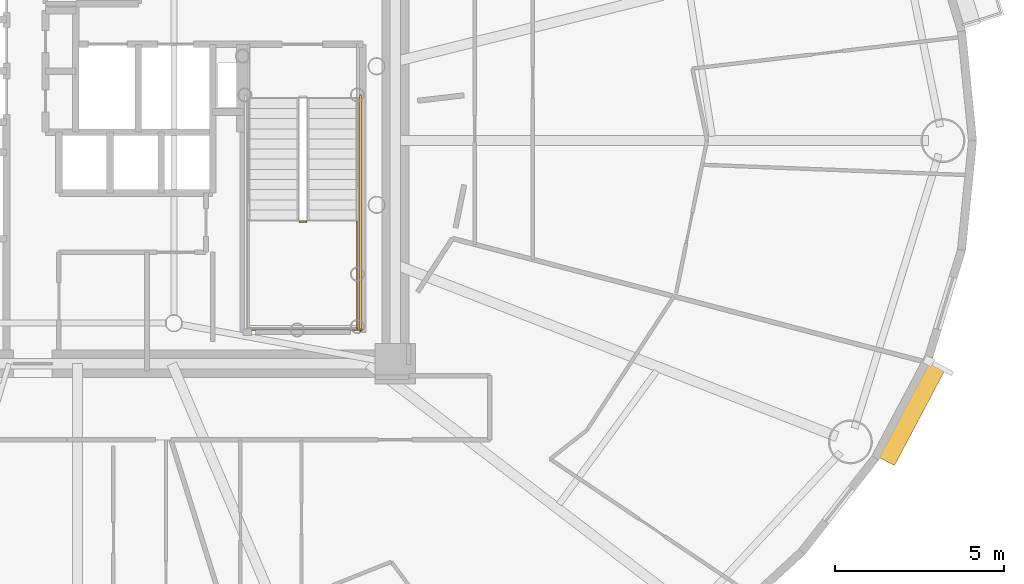
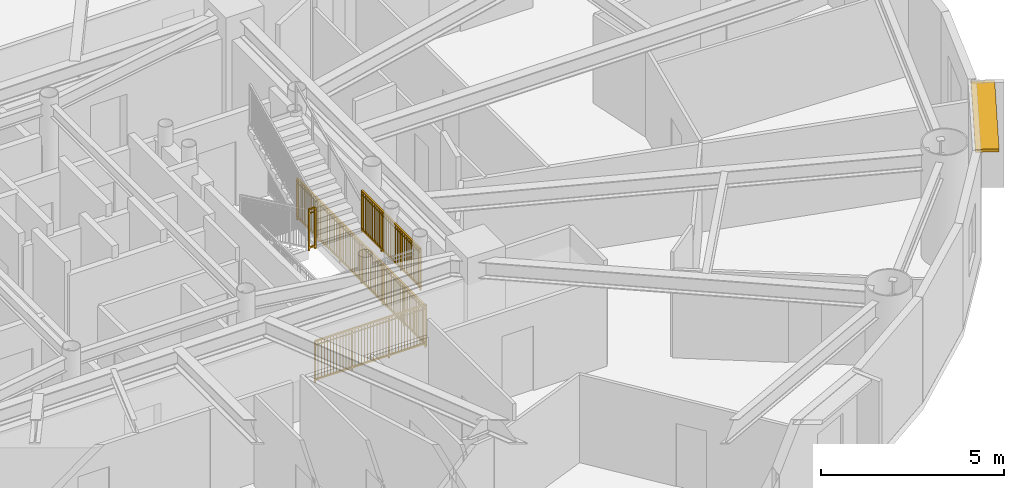
# One storey, part 16 of 18: 4 railings, 1 shading device.
"""IFC4 building model written with IfcOpenShell, lengths in metres."""

from ifc_helpers import new_model, si_unit, direction, frame, origin, origin_2d, place, context, subcontext, project, spatial, rectangle, extrude, source, transform, mapped, material, layer, layer_set, type_object, element, save


model = new_model("IFC4")

# Units and contexts
model_context = context("Model", 3, precision=1e-05, world=origin(), true_north=direction((0.0, 1.0)))
body_context = subcontext(model_context, "Body", "Model", "MODEL_VIEW")
ifc_project = project(units=[si_unit("LENGTHUNIT", "METRE"), si_unit("AREAUNIT", "SQUARE_METRE"), si_unit("VOLUMEUNIT", "CUBIC_METRE"), si_unit("PLANEANGLEUNIT", "RADIAN"), si_unit("MASSUNIT", "GRAM", prefix="KILO")], contexts=[model_context])

# Site, building, storey
site_placement = place(None, origin())
site = spatial("IfcSite", under=ifc_project, at=site_placement, CompositionType="ELEMENT")
building_placement = place(site_placement, origin())
building = spatial("IfcBuilding", under=site, at=building_placement, Name="Linh Dai School and Residence Tower", CompositionType="ELEMENT")
storey_placement = place(building_placement, frame((0.0, 0.0, 178.64990234375)))
storey = spatial("IfcBuildingStorey", under=building, at=storey_placement, Name="L43", CompositionType="ELEMENT", Elevation=178.64990234375)

# Shading device
ifc_material_1 = material(Name="Terracotta Ceramic Sunshade", Category="masonry")
ifc_layer = layer(ifc_material_1, 0.10009765625)
ifc_layer_set = layer_set([ifc_layer], Name="Terracotta Ceramic Sunshade")
shading_device_type = type_object("IfcShadingDeviceType", Name="SHD-TC-650", PredefinedType="USERDEFINED", material=ifc_layer_set)
shared_shape_1 = source(origin(), body_context, "Body", "SweptSolid", [
    extrude(rectangle(XDim=3.257568359375, YDim=0.64990234375, at=origin_2d()), origin(), (0.0, 0.0, 1.0), 0.10009765625),
])
shading_device_placement = place(storey_placement, frame((60.641357421875, 18.97802734375, 3.380126953125), z_axis=(0.0, 0.0, 1.0), x_axis=(-0.467580060884, -0.883950726378, 0.0)))
element("IfcShadingDevice", 1, at=shading_device_placement, inside=storey, type_object=shading_device_type, Name="L43 Terracotta Horizontal Sunshade Band 38", ObjectType="SUNSHADE", PredefinedType="USERDEFINED", context=body_context, shape_type="MappedRepresentation", body=[
    mapped(shared_shape_1, transform((0.0, 0.0, 0.0), x_axis=(1.0, 0.0, 0.0), y_axis=(0.0, 1.0, 0.0), z_axis=(0.0, 0.0, 1.0), scale=1.0)),
])

# Railings
ifc_material_2 = material(Name="Structural Steel S355JR", Category="steel")
railing_type = type_object("IfcRailingType", Name="RL-ST-GUARD-1400", PredefinedType="GUARDRAIL", material=ifc_material_2)
shared_shape_2 = source(origin(), body_context, "Body", "SweptSolid", [
    extrude(rectangle(XDim=0.048095703125, YDim=0.048095703125, at=origin_2d()), frame((0.0, 0.0, 1.3759765625), z_axis=(1.0, 0.0, 0.0), x_axis=(0.0, 1.0, 0.0)), (0.0, 0.0, 1.0), 0.199951171875),
    extrude(rectangle(XDim=0.048095703125, YDim=0.048095703125, at=origin_2d()), frame((0.0, 0.0, 0.10009765625), z_axis=(1.0, 0.0, 0.0), x_axis=(0.0, 1.0, 0.0)), (0.0, 0.0, 1.0), 0.199951171875),
    extrude(rectangle(XDim=0.030029296875, YDim=0.030029296875, at=origin_2d()), frame((0.0, 0.0, 1.239990234375), z_axis=(1.0, 0.0, 0.0), x_axis=(0.0, 1.0, 0.0)), (0.0, 0.0, 1.0), 0.199951171875),
    extrude(rectangle(XDim=0.0419921875, YDim=0.0419921875, at=origin_2d()), origin(), (0.0, 0.0, 1.0), 1.3759765625),
    extrude(rectangle(XDim=0.0419921875, YDim=0.0419921875, at=origin_2d()), frame((0.199951171875, 0.0, 0.0)), (0.0, 0.0, 1.0), 1.3759765625),
])
railing_1_placement = place(storey_placement, frame((42.570068359375, 24.60009765625, 1.875)))
element("IfcRailing", 2, at=railing_1_placement, inside=storey, type_object=railing_type, Name="L43 ST2 stair guard 2", PredefinedType="GUARDRAIL", context=body_context, shape_type="MappedRepresentation", body=[
    mapped(shared_shape_2, transform((0.0, 0.0, 0.0), x_axis=(1.0, 0.0, 0.0), y_axis=(0.0, 1.0, 0.0), z_axis=(0.0, 0.0, 1.0), scale=1.0)),
])
shared_shape_3 = source(origin(), body_context, "Body", "SweptSolid", [
    extrude(rectangle(XDim=0.048095703125, YDim=0.048095703125, at=origin_2d()), frame((0.0, 0.0, 1.3759765625), z_axis=(0.0, -1.0, 0.0), x_axis=(1.0, 0.0, 0.0)), (0.0, 0.0, 1.0), 7.0),
    extrude(rectangle(XDim=0.048095703125, YDim=0.048095703125, at=origin_2d()), frame((0.0, 0.0, 0.10009765625), z_axis=(0.0, -1.0, 0.0), x_axis=(1.0, 0.0, 0.0)), (0.0, 0.0, 1.0), 7.0),
    extrude(rectangle(XDim=0.030029296875, YDim=0.030029296875, at=origin_2d()), frame((0.0, 0.0, 1.239990234375), z_axis=(0.0, -1.0, 0.0), x_axis=(1.0, 0.0, 0.0)), (0.0, 0.0, 1.0), 7.0),
    extrude(rectangle(XDim=0.02001953125, YDim=0.02001953125, at=origin_2d()), frame((0.0, -0.09716796875, 0.10009765625)), (0.0, 0.0, 1.0), 1.251708984375),
    extrude(rectangle(XDim=0.02001953125, YDim=0.02001953125, at=origin_2d()), frame((0.0, -0.1943359375, 0.10009765625)), (0.0, 0.0, 1.0), 1.251708984375),
    extrude(rectangle(XDim=0.02001953125, YDim=0.02001953125, at=origin_2d()), frame((0.0, -0.291748046875, 0.10009765625)), (0.0, 0.0, 1.0), 1.251708984375),
    extrude(rectangle(XDim=0.02001953125, YDim=0.02001953125, at=origin_2d()), frame((0.0, -0.388916015625, 0.10009765625)), (0.0, 0.0, 1.0), 1.251708984375),
    extrude(rectangle(XDim=0.02001953125, YDim=0.02001953125, at=origin_2d()), frame((0.0, -0.486083984375, 0.10009765625)), (0.0, 0.0, 1.0), 1.251708984375),
    extrude(rectangle(XDim=0.02001953125, YDim=0.02001953125, at=origin_2d()), frame((0.0, -0.583251953125, 0.10009765625)), (0.0, 0.0, 1.0), 1.251708984375),
    extrude(rectangle(XDim=0.02001953125, YDim=0.02001953125, at=origin_2d()), frame((0.0, -0.6806640625, 0.10009765625)), (0.0, 0.0, 1.0), 1.251708984375),
    extrude(rectangle(XDim=0.02001953125, YDim=0.02001953125, at=origin_2d()), frame((0.0, -0.77783203125, 0.10009765625)), (0.0, 0.0, 1.0), 1.251708984375),
    extrude(rectangle(XDim=0.02001953125, YDim=0.02001953125, at=origin_2d()), frame((0.0, -0.875, 0.10009765625)), (0.0, 0.0, 1.0), 1.251708984375),
    extrude(rectangle(XDim=0.02001953125, YDim=0.02001953125, at=origin_2d()), frame((0.0, -0.97216796875, 0.10009765625)), (0.0, 0.0, 1.0), 1.251708984375),
    extrude(rectangle(XDim=0.02001953125, YDim=0.02001953125, at=origin_2d()), frame((0.0, -1.0693359375, 0.10009765625)), (0.0, 0.0, 1.0), 1.251708984375),
    extrude(rectangle(XDim=0.02001953125, YDim=0.02001953125, at=origin_2d()), frame((0.0, -1.263916015625, 0.10009765625)), (0.0, 0.0, 1.0), 1.251708984375),
    extrude(rectangle(XDim=0.02001953125, YDim=0.02001953125, at=origin_2d()), frame((0.0, -1.361083984375, 0.10009765625)), (0.0, 0.0, 1.0), 1.251708984375),
    extrude(rectangle(XDim=0.02001953125, YDim=0.02001953125, at=origin_2d()), frame((0.0, -1.458251953125, 0.10009765625)), (0.0, 0.0, 1.0), 1.251708984375),
    extrude(rectangle(XDim=0.02001953125, YDim=0.02001953125, at=origin_2d()), frame((0.0, -1.5556640625, 0.10009765625)), (0.0, 0.0, 1.0), 1.251708984375),
    extrude(rectangle(XDim=0.02001953125, YDim=0.02001953125, at=origin_2d()), frame((0.0, -1.65283203125, 0.10009765625)), (0.0, 0.0, 1.0), 1.251708984375),
    extrude(rectangle(XDim=0.02001953125, YDim=0.02001953125, at=origin_2d()), frame((0.0, -1.75, 0.10009765625)), (0.0, 0.0, 1.0), 1.251708984375),
    extrude(rectangle(XDim=0.02001953125, YDim=0.02001953125, at=origin_2d()), frame((0.0, -1.84716796875, 0.10009765625)), (0.0, 0.0, 1.0), 1.251708984375),
    extrude(rectangle(XDim=0.02001953125, YDim=0.02001953125, at=origin_2d()), frame((0.0, -1.9443359375, 0.10009765625)), (0.0, 0.0, 1.0), 1.251708984375),
    extrude(rectangle(XDim=0.02001953125, YDim=0.02001953125, at=origin_2d()), frame((0.0, -2.041748046875, 0.10009765625)), (0.0, 0.0, 1.0), 1.251708984375),
    extrude(rectangle(XDim=0.02001953125, YDim=0.02001953125, at=origin_2d()), frame((0.0, -2.138916015625, 0.10009765625)), (0.0, 0.0, 1.0), 1.251708984375),
    extrude(rectangle(XDim=0.02001953125, YDim=0.02001953125, at=origin_2d()), frame((0.0, -2.236083984375, 0.10009765625)), (0.0, 0.0, 1.0), 1.251708984375),
    extrude(rectangle(XDim=0.02001953125, YDim=0.02001953125, at=origin_2d()), frame((0.0, -2.4306640625, 0.10009765625)), (0.0, 0.0, 1.0), 1.251708984375),
    extrude(rectangle(XDim=0.02001953125, YDim=0.02001953125, at=origin_2d()), frame((0.0, -2.52783203125, 0.10009765625)), (0.0, 0.0, 1.0), 1.251708984375),
    extrude(rectangle(XDim=0.02001953125, YDim=0.02001953125, at=origin_2d()), frame((0.0, -2.625, 0.10009765625)), (0.0, 0.0, 1.0), 1.251708984375),
    extrude(rectangle(XDim=0.02001953125, YDim=0.02001953125, at=origin_2d()), frame((0.0, -2.72216796875, 0.10009765625)), (0.0, 0.0, 1.0), 1.251708984375),
    extrude(rectangle(XDim=0.02001953125, YDim=0.02001953125, at=origin_2d()), frame((0.0, -2.8193359375, 0.10009765625)), (0.0, 0.0, 1.0), 1.251708984375),
    extrude(rectangle(XDim=0.02001953125, YDim=0.02001953125, at=origin_2d()), frame((0.0, -2.916748046875, 0.10009765625)), (0.0, 0.0, 1.0), 1.251708984375),
    extrude(rectangle(XDim=0.02001953125, YDim=0.02001953125, at=origin_2d()), frame((0.0, -3.013916015625, 0.10009765625)), (0.0, 0.0, 1.0), 1.251708984375),
    extrude(rectangle(XDim=0.02001953125, YDim=0.02001953125, at=origin_2d()), frame((0.0, -3.111083984375, 0.10009765625)), (0.0, 0.0, 1.0), 1.251708984375),
    extrude(rectangle(XDim=0.02001953125, YDim=0.02001953125, at=origin_2d()), frame((0.0, -3.208251953125, 0.10009765625)), (0.0, 0.0, 1.0), 1.251708984375),
    extrude(rectangle(XDim=0.02001953125, YDim=0.02001953125, at=origin_2d()), frame((0.0, -3.3056640625, 0.10009765625)), (0.0, 0.0, 1.0), 1.251708984375),
    extrude(rectangle(XDim=0.02001953125, YDim=0.02001953125, at=origin_2d()), frame((0.0, -3.40283203125, 0.10009765625)), (0.0, 0.0, 1.0), 1.251708984375),
    extrude(rectangle(XDim=0.02001953125, YDim=0.02001953125, at=origin_2d()), frame((0.0, -3.59716796875, 0.10009765625)), (0.0, 0.0, 1.0), 1.251708984375),
    extrude(rectangle(XDim=0.02001953125, YDim=0.02001953125, at=origin_2d()), frame((0.0, -3.6943359375, 0.10009765625)), (0.0, 0.0, 1.0), 1.251708984375),
    extrude(rectangle(XDim=0.02001953125, YDim=0.02001953125, at=origin_2d()), frame((0.0, -3.791748046875, 0.10009765625)), (0.0, 0.0, 1.0), 1.251708984375),
    extrude(rectangle(XDim=0.02001953125, YDim=0.02001953125, at=origin_2d()), frame((0.0, -3.888916015625, 0.10009765625)), (0.0, 0.0, 1.0), 1.251708984375),
    extrude(rectangle(XDim=0.02001953125, YDim=0.02001953125, at=origin_2d()), frame((0.0, -3.986083984375, 0.10009765625)), (0.0, 0.0, 1.0), 1.251708984375),
    extrude(rectangle(XDim=0.02001953125, YDim=0.02001953125, at=origin_2d()), frame((0.0, -4.083251953125, 0.10009765625)), (0.0, 0.0, 1.0), 1.251708984375),
    extrude(rectangle(XDim=0.02001953125, YDim=0.02001953125, at=origin_2d()), frame((0.0, -4.1806640625, 0.10009765625)), (0.0, 0.0, 1.0), 1.251708984375),
    extrude(rectangle(XDim=0.02001953125, YDim=0.02001953125, at=origin_2d()), frame((0.0, -4.27783203125, 0.10009765625)), (0.0, 0.0, 1.0), 1.251708984375),
    extrude(rectangle(XDim=0.02001953125, YDim=0.02001953125, at=origin_2d()), frame((0.0, -4.375, 0.10009765625)), (0.0, 0.0, 1.0), 1.251708984375),
    extrude(rectangle(XDim=0.02001953125, YDim=0.02001953125, at=origin_2d()), frame((0.0, -4.47216796875, 0.10009765625)), (0.0, 0.0, 1.0), 1.251708984375),
    extrude(rectangle(XDim=0.02001953125, YDim=0.02001953125, at=origin_2d()), frame((0.0, -4.5693359375, 0.10009765625)), (0.0, 0.0, 1.0), 1.251708984375),
    extrude(rectangle(XDim=0.02001953125, YDim=0.02001953125, at=origin_2d()), frame((0.0, -4.763916015625, 0.10009765625)), (0.0, 0.0, 1.0), 1.251708984375),
    extrude(rectangle(XDim=0.02001953125, YDim=0.02001953125, at=origin_2d()), frame((0.0, -4.861083984375, 0.10009765625)), (0.0, 0.0, 1.0), 1.251708984375),
    extrude(rectangle(XDim=0.02001953125, YDim=0.02001953125, at=origin_2d()), frame((0.0, -4.958251953125, 0.10009765625)), (0.0, 0.0, 1.0), 1.251708984375),
    extrude(rectangle(XDim=0.02001953125, YDim=0.02001953125, at=origin_2d()), frame((0.0, -5.0556640625, 0.10009765625)), (0.0, 0.0, 1.0), 1.251708984375),
    extrude(rectangle(XDim=0.02001953125, YDim=0.02001953125, at=origin_2d()), frame((0.0, -5.15283203125, 0.10009765625)), (0.0, 0.0, 1.0), 1.251708984375),
    extrude(rectangle(XDim=0.02001953125, YDim=0.02001953125, at=origin_2d()), frame((0.0, -5.25, 0.10009765625)), (0.0, 0.0, 1.0), 1.251708984375),
    extrude(rectangle(XDim=0.02001953125, YDim=0.02001953125, at=origin_2d()), frame((0.0, -5.34716796875, 0.10009765625)), (0.0, 0.0, 1.0), 1.251708984375),
    extrude(rectangle(XDim=0.02001953125, YDim=0.02001953125, at=origin_2d()), frame((0.0, -5.4443359375, 0.10009765625)), (0.0, 0.0, 1.0), 1.251708984375),
    extrude(rectangle(XDim=0.02001953125, YDim=0.02001953125, at=origin_2d()), frame((0.0, -5.541748046875, 0.10009765625)), (0.0, 0.0, 1.0), 1.251708984375),
    extrude(rectangle(XDim=0.02001953125, YDim=0.02001953125, at=origin_2d()), frame((0.0, -5.638916015625, 0.10009765625)), (0.0, 0.0, 1.0), 1.251708984375),
    extrude(rectangle(XDim=0.02001953125, YDim=0.02001953125, at=origin_2d()), frame((0.0, -5.736083984375, 0.10009765625)), (0.0, 0.0, 1.0), 1.251708984375),
    extrude(rectangle(XDim=0.02001953125, YDim=0.02001953125, at=origin_2d()), frame((0.0, -5.9306640625, 0.10009765625)), (0.0, 0.0, 1.0), 1.251708984375),
    extrude(rectangle(XDim=0.02001953125, YDim=0.02001953125, at=origin_2d()), frame((0.0, -6.02783203125, 0.10009765625)), (0.0, 0.0, 1.0), 1.251708984375),
    extrude(rectangle(XDim=0.02001953125, YDim=0.02001953125, at=origin_2d()), frame((0.0, -6.125, 0.10009765625)), (0.0, 0.0, 1.0), 1.251708984375),
    extrude(rectangle(XDim=0.02001953125, YDim=0.02001953125, at=origin_2d()), frame((0.0, -6.22216796875, 0.10009765625)), (0.0, 0.0, 1.0), 1.251708984375),
    extrude(rectangle(XDim=0.02001953125, YDim=0.02001953125, at=origin_2d()), frame((0.0, -6.3193359375, 0.10009765625)), (0.0, 0.0, 1.0), 1.251708984375),
    extrude(rectangle(XDim=0.02001953125, YDim=0.02001953125, at=origin_2d()), frame((0.0, -6.416748046875, 0.10009765625)), (0.0, 0.0, 1.0), 1.251708984375),
    extrude(rectangle(XDim=0.02001953125, YDim=0.02001953125, at=origin_2d()), frame((0.0, -6.513916015625, 0.10009765625)), (0.0, 0.0, 1.0), 1.251708984375),
    extrude(rectangle(XDim=0.02001953125, YDim=0.02001953125, at=origin_2d()), frame((0.0, -6.611083984375, 0.10009765625)), (0.0, 0.0, 1.0), 1.251708984375),
    extrude(rectangle(XDim=0.02001953125, YDim=0.02001953125, at=origin_2d()), frame((0.0, -6.708251953125, 0.10009765625)), (0.0, 0.0, 1.0), 1.251708984375),
    extrude(rectangle(XDim=0.02001953125, YDim=0.02001953125, at=origin_2d()), frame((0.0, -6.8056640625, 0.10009765625)), (0.0, 0.0, 1.0), 1.251708984375),
    extrude(rectangle(XDim=0.02001953125, YDim=0.02001953125, at=origin_2d()), frame((0.0, -6.90283203125, 0.10009765625)), (0.0, 0.0, 1.0), 1.251708984375),
    extrude(rectangle(XDim=0.0419921875, YDim=0.0419921875, at=origin_2d()), origin(), (0.0, 0.0, 1.0), 1.3759765625),
    extrude(rectangle(XDim=0.0419921875, YDim=0.0419921875, at=origin_2d()), frame((0.0, -1.166748046875, 0.0)), (0.0, 0.0, 1.0), 1.3759765625),
    extrude(rectangle(XDim=0.0419921875, YDim=0.0419921875, at=origin_2d()), frame((0.0, -2.333251953125, 0.0)), (0.0, 0.0, 1.0), 1.3759765625),
    extrude(rectangle(XDim=0.0419921875, YDim=0.0419921875, at=origin_2d()), frame((0.0, -3.5, 0.0)), (0.0, 0.0, 1.0), 1.3759765625),
    extrude(rectangle(XDim=0.0419921875, YDim=0.0419921875, at=origin_2d()), frame((0.0, -4.666748046875, 0.0)), (0.0, 0.0, 1.0), 1.3759765625),
    extrude(rectangle(XDim=0.0419921875, YDim=0.0419921875, at=origin_2d()), frame((0.0, -5.833251953125, 0.0)), (0.0, 0.0, 1.0), 1.3759765625),
    extrude(rectangle(XDim=0.0419921875, YDim=0.0419921875, at=origin_2d()), frame((0.0, -7.0, 0.0)), (0.0, 0.0, 1.0), 1.3759765625),
])
railing_2_placement = place(storey_placement, frame((44.3701171875, 28.35009765625, 0.0)))
element("IfcRailing", 3, at=railing_2_placement, inside=storey, type_object=railing_type, Name="L43 ST2 stair guard 11", PredefinedType="GUARDRAIL", context=body_context, shape_type="MappedRepresentation", body=[
    mapped(shared_shape_3, transform((0.0, 0.0, 0.0), x_axis=(1.0, 0.0, 0.0), y_axis=(0.0, 1.0, 0.0), z_axis=(0.0, 0.0, 1.0), scale=1.0)),
])
shared_shape_4 = source(origin(), body_context, "Body", "SweptSolid", [
    extrude(rectangle(XDim=0.048095703125, YDim=0.048095703125, at=origin_2d()), frame((0.0, 0.0, 1.3759765625), z_axis=(1.0, 0.0, 0.0), x_axis=(0.0, 1.0, 0.0)), (0.0, 0.0, 1.0), 3.5),
    extrude(rectangle(XDim=0.048095703125, YDim=0.048095703125, at=origin_2d()), frame((0.0, 0.0, 0.10009765625), z_axis=(1.0, 0.0, 0.0), x_axis=(0.0, 1.0, 0.0)), (0.0, 0.0, 1.0), 3.5),
    extrude(rectangle(XDim=0.030029296875, YDim=0.030029296875, at=origin_2d()), frame((0.0, 0.0, 1.239990234375), z_axis=(1.0, 0.0, 0.0), x_axis=(0.0, 1.0, 0.0)), (0.0, 0.0, 1.0), 3.5),
    extrude(rectangle(XDim=0.02001953125, YDim=0.02001953125, at=origin_2d()), frame((0.09716796875, 0.0, 0.10009765625)), (0.0, 0.0, 1.0), 1.251708984375),
    extrude(rectangle(XDim=0.02001953125, YDim=0.02001953125, at=origin_2d()), frame((0.1943359375, 0.0, 0.10009765625)), (0.0, 0.0, 1.0), 1.251708984375),
    extrude(rectangle(XDim=0.02001953125, YDim=0.02001953125, at=origin_2d()), frame((0.291748046875, 0.0, 0.10009765625)), (0.0, 0.0, 1.0), 1.251708984375),
    extrude(rectangle(XDim=0.02001953125, YDim=0.02001953125, at=origin_2d()), frame((0.388916015625, 0.0, 0.10009765625)), (0.0, 0.0, 1.0), 1.251708984375),
    extrude(rectangle(XDim=0.02001953125, YDim=0.02001953125, at=origin_2d()), frame((0.486083984375, 0.0, 0.10009765625)), (0.0, 0.0, 1.0), 1.251708984375),
    extrude(rectangle(XDim=0.02001953125, YDim=0.02001953125, at=origin_2d()), frame((0.583251953125, 0.0, 0.10009765625)), (0.0, 0.0, 1.0), 1.251708984375),
    extrude(rectangle(XDim=0.02001953125, YDim=0.02001953125, at=origin_2d()), frame((0.6806640625, 0.0, 0.10009765625)), (0.0, 0.0, 1.0), 1.251708984375),
    extrude(rectangle(XDim=0.02001953125, YDim=0.02001953125, at=origin_2d()), frame((0.77783203125, 0.0, 0.10009765625)), (0.0, 0.0, 1.0), 1.251708984375),
    extrude(rectangle(XDim=0.02001953125, YDim=0.02001953125, at=origin_2d()), frame((0.875, 0.0, 0.10009765625)), (0.0, 0.0, 1.0), 1.251708984375),
    extrude(rectangle(XDim=0.02001953125, YDim=0.02001953125, at=origin_2d()), frame((0.97216796875, 0.0, 0.10009765625)), (0.0, 0.0, 1.0), 1.251708984375),
    extrude(rectangle(XDim=0.02001953125, YDim=0.02001953125, at=origin_2d()), frame((1.0693359375, 0.0, 0.10009765625)), (0.0, 0.0, 1.0), 1.251708984375),
    extrude(rectangle(XDim=0.02001953125, YDim=0.02001953125, at=origin_2d()), frame((1.263916015625, 0.0, 0.10009765625)), (0.0, 0.0, 1.0), 1.251708984375),
    extrude(rectangle(XDim=0.02001953125, YDim=0.02001953125, at=origin_2d()), frame((1.361083984375, 0.0, 0.10009765625)), (0.0, 0.0, 1.0), 1.251708984375),
    extrude(rectangle(XDim=0.02001953125, YDim=0.02001953125, at=origin_2d()), frame((1.458251953125, 0.0, 0.10009765625)), (0.0, 0.0, 1.0), 1.251708984375),
    extrude(rectangle(XDim=0.02001953125, YDim=0.02001953125, at=origin_2d()), frame((1.5556640625, 0.0, 0.10009765625)), (0.0, 0.0, 1.0), 1.251708984375),
    extrude(rectangle(XDim=0.02001953125, YDim=0.02001953125, at=origin_2d()), frame((1.65283203125, 0.0, 0.10009765625)), (0.0, 0.0, 1.0), 1.251708984375),
    extrude(rectangle(XDim=0.02001953125, YDim=0.02001953125, at=origin_2d()), frame((1.75, 0.0, 0.10009765625)), (0.0, 0.0, 1.0), 1.251708984375),
    extrude(rectangle(XDim=0.02001953125, YDim=0.02001953125, at=origin_2d()), frame((1.84716796875, 0.0, 0.10009765625)), (0.0, 0.0, 1.0), 1.251708984375),
    extrude(rectangle(XDim=0.02001953125, YDim=0.02001953125, at=origin_2d()), frame((1.9443359375, 0.0, 0.10009765625)), (0.0, 0.0, 1.0), 1.251708984375),
    extrude(rectangle(XDim=0.02001953125, YDim=0.02001953125, at=origin_2d()), frame((2.041748046875, 0.0, 0.10009765625)), (0.0, 0.0, 1.0), 1.251708984375),
    extrude(rectangle(XDim=0.02001953125, YDim=0.02001953125, at=origin_2d()), frame((2.138916015625, 0.0, 0.10009765625)), (0.0, 0.0, 1.0), 1.251708984375),
    extrude(rectangle(XDim=0.02001953125, YDim=0.02001953125, at=origin_2d()), frame((2.236083984375, 0.0, 0.10009765625)), (0.0, 0.0, 1.0), 1.251708984375),
    extrude(rectangle(XDim=0.02001953125, YDim=0.02001953125, at=origin_2d()), frame((2.4306640625, 0.0, 0.10009765625)), (0.0, 0.0, 1.0), 1.251708984375),
    extrude(rectangle(XDim=0.02001953125, YDim=0.02001953125, at=origin_2d()), frame((2.52783203125, 0.0, 0.10009765625)), (0.0, 0.0, 1.0), 1.251708984375),
    extrude(rectangle(XDim=0.02001953125, YDim=0.02001953125, at=origin_2d()), frame((2.625, 0.0, 0.10009765625)), (0.0, 0.0, 1.0), 1.251708984375),
    extrude(rectangle(XDim=0.02001953125, YDim=0.02001953125, at=origin_2d()), frame((2.72216796875, 0.0, 0.10009765625)), (0.0, 0.0, 1.0), 1.251708984375),
    extrude(rectangle(XDim=0.02001953125, YDim=0.02001953125, at=origin_2d()), frame((2.8193359375, 0.0, 0.10009765625)), (0.0, 0.0, 1.0), 1.251708984375),
    extrude(rectangle(XDim=0.02001953125, YDim=0.02001953125, at=origin_2d()), frame((2.916748046875, 0.0, 0.10009765625)), (0.0, 0.0, 1.0), 1.251708984375),
    extrude(rectangle(XDim=0.02001953125, YDim=0.02001953125, at=origin_2d()), frame((3.013916015625, 0.0, 0.10009765625)), (0.0, 0.0, 1.0), 1.251708984375),
    extrude(rectangle(XDim=0.02001953125, YDim=0.02001953125, at=origin_2d()), frame((3.111083984375, 0.0, 0.10009765625)), (0.0, 0.0, 1.0), 1.251708984375),
    extrude(rectangle(XDim=0.02001953125, YDim=0.02001953125, at=origin_2d()), frame((3.208251953125, 0.0, 0.10009765625)), (0.0, 0.0, 1.0), 1.251708984375),
    extrude(rectangle(XDim=0.02001953125, YDim=0.02001953125, at=origin_2d()), frame((3.3056640625, 0.0, 0.10009765625)), (0.0, 0.0, 1.0), 1.251708984375),
    extrude(rectangle(XDim=0.02001953125, YDim=0.02001953125, at=origin_2d()), frame((3.40283203125, 0.0, 0.10009765625)), (0.0, 0.0, 1.0), 1.251708984375),
    extrude(rectangle(XDim=0.0419921875, YDim=0.0419921875, at=origin_2d()), origin(), (0.0, 0.0, 1.0), 1.3759765625),
    extrude(rectangle(XDim=0.0419921875, YDim=0.0419921875, at=origin_2d()), frame((1.166748046875, 0.0, 0.0)), (0.0, 0.0, 1.0), 1.3759765625),
    extrude(rectangle(XDim=0.0419921875, YDim=0.0419921875, at=origin_2d()), frame((2.333251953125, 0.0, 0.0)), (0.0, 0.0, 1.0), 1.3759765625),
    extrude(rectangle(XDim=0.0419921875, YDim=0.0419921875, at=origin_2d()), frame((3.5, 0.0, 0.0)), (0.0, 0.0, 1.0), 1.3759765625),
])
railing_3_placement = place(storey_placement, frame((40.919921875, 21.39990234375, 0.0)))
element("IfcRailing", 4, at=railing_3_placement, inside=storey, type_object=railing_type, Name="L43 ST2 stair guard 12", PredefinedType="GUARDRAIL", context=body_context, shape_type="MappedRepresentation", body=[
    mapped(shared_shape_4, transform((0.0, 0.0, 0.0), x_axis=(1.0, 0.0, 0.0), y_axis=(0.0, 1.0, 0.0), z_axis=(0.0, 0.0, 1.0), scale=1.0)),
])
shared_shape_5 = source(origin(), body_context, "Body", "SweptSolid", [
    extrude(rectangle(XDim=0.048095703125, YDim=0.048095703125, at=origin_2d()), frame((0.0, 0.0, 1.3759765625), z_axis=(0.0, -1.0, 0.0), x_axis=(1.0, 0.0, 0.0)), (0.0, 0.0, 1.0), 3.199951171875),
    extrude(rectangle(XDim=0.048095703125, YDim=0.048095703125, at=origin_2d()), frame((0.0, 0.0, 0.10009765625), z_axis=(0.0, -1.0, 0.0), x_axis=(1.0, 0.0, 0.0)), (0.0, 0.0, 1.0), 3.199951171875),
    extrude(rectangle(XDim=0.030029296875, YDim=0.030029296875, at=origin_2d()), frame((0.0, 0.0, 1.239990234375), z_axis=(0.0, -1.0, 0.0), x_axis=(1.0, 0.0, 0.0)), (0.0, 0.0, 1.0), 3.199951171875),
    extrude(rectangle(XDim=0.02001953125, YDim=0.02001953125, at=origin_2d()), frame((0.0, -0.096923828125, 0.10009765625)), (0.0, 0.0, 1.0), 1.251708984375),
    extrude(rectangle(XDim=0.02001953125, YDim=0.02001953125, at=origin_2d()), frame((0.0, -0.19384765625, 0.10009765625)), (0.0, 0.0, 1.0), 1.251708984375),
    extrude(rectangle(XDim=0.02001953125, YDim=0.02001953125, at=origin_2d()), frame((0.0, -0.291015625, 0.10009765625)), (0.0, 0.0, 1.0), 1.251708984375),
    extrude(rectangle(XDim=0.02001953125, YDim=0.02001953125, at=origin_2d()), frame((0.0, -0.387939453125, 0.10009765625)), (0.0, 0.0, 1.0), 1.251708984375),
    extrude(rectangle(XDim=0.02001953125, YDim=0.02001953125, at=origin_2d()), frame((0.0, -0.48486328125, 0.10009765625)), (0.0, 0.0, 1.0), 1.251708984375),
    extrude(rectangle(XDim=0.02001953125, YDim=0.02001953125, at=origin_2d()), frame((0.0, -0.581787109375, 0.10009765625)), (0.0, 0.0, 1.0), 1.251708984375),
    extrude(rectangle(XDim=0.02001953125, YDim=0.02001953125, at=origin_2d()), frame((0.0, -0.6787109375, 0.10009765625)), (0.0, 0.0, 1.0), 1.251708984375),
    extrude(rectangle(XDim=0.02001953125, YDim=0.02001953125, at=origin_2d()), frame((0.0, -0.775634765625, 0.10009765625)), (0.0, 0.0, 1.0), 1.251708984375),
    extrude(rectangle(XDim=0.02001953125, YDim=0.02001953125, at=origin_2d()), frame((0.0, -0.872802734375, 0.10009765625)), (0.0, 0.0, 1.0), 1.251708984375),
    extrude(rectangle(XDim=0.02001953125, YDim=0.02001953125, at=origin_2d()), frame((0.0, -0.9697265625, 0.10009765625)), (0.0, 0.0, 1.0), 1.251708984375),
    extrude(rectangle(XDim=0.02001953125, YDim=0.02001953125, at=origin_2d()), frame((0.0, -1.16357421875, 0.10009765625)), (0.0, 0.0, 1.0), 1.251708984375),
    extrude(rectangle(XDim=0.02001953125, YDim=0.02001953125, at=origin_2d()), frame((0.0, -1.260498046875, 0.10009765625)), (0.0, 0.0, 1.0), 1.251708984375),
    extrude(rectangle(XDim=0.02001953125, YDim=0.02001953125, at=origin_2d()), frame((0.0, -1.357666015625, 0.10009765625)), (0.0, 0.0, 1.0), 1.251708984375),
    extrude(rectangle(XDim=0.02001953125, YDim=0.02001953125, at=origin_2d()), frame((0.0, -1.45458984375, 0.10009765625)), (0.0, 0.0, 1.0), 1.251708984375),
    extrude(rectangle(XDim=0.02001953125, YDim=0.02001953125, at=origin_2d()), frame((0.0, -1.551513671875, 0.10009765625)), (0.0, 0.0, 1.0), 1.251708984375),
    extrude(rectangle(XDim=0.02001953125, YDim=0.02001953125, at=origin_2d()), frame((0.0, -1.6484375, 0.10009765625)), (0.0, 0.0, 1.0), 1.251708984375),
    extrude(rectangle(XDim=0.02001953125, YDim=0.02001953125, at=origin_2d()), frame((0.0, -1.745361328125, 0.10009765625)), (0.0, 0.0, 1.0), 1.251708984375),
    extrude(rectangle(XDim=0.02001953125, YDim=0.02001953125, at=origin_2d()), frame((0.0, -1.84228515625, 0.10009765625)), (0.0, 0.0, 1.0), 1.251708984375),
    extrude(rectangle(XDim=0.02001953125, YDim=0.02001953125, at=origin_2d()), frame((0.0, -1.939453125, 0.10009765625)), (0.0, 0.0, 1.0), 1.251708984375),
    extrude(rectangle(XDim=0.02001953125, YDim=0.02001953125, at=origin_2d()), frame((0.0, -2.036376953125, 0.10009765625)), (0.0, 0.0, 1.0), 1.251708984375),
    extrude(rectangle(XDim=0.02001953125, YDim=0.02001953125, at=origin_2d()), frame((0.0, -2.230224609375, 0.10009765625)), (0.0, 0.0, 1.0), 1.251708984375),
    extrude(rectangle(XDim=0.02001953125, YDim=0.02001953125, at=origin_2d()), frame((0.0, -2.3271484375, 0.10009765625)), (0.0, 0.0, 1.0), 1.251708984375),
    extrude(rectangle(XDim=0.02001953125, YDim=0.02001953125, at=origin_2d()), frame((0.0, -2.42431640625, 0.10009765625)), (0.0, 0.0, 1.0), 1.251708984375),
    extrude(rectangle(XDim=0.02001953125, YDim=0.02001953125, at=origin_2d()), frame((0.0, -2.521240234375, 0.10009765625)), (0.0, 0.0, 1.0), 1.251708984375),
    extrude(rectangle(XDim=0.02001953125, YDim=0.02001953125, at=origin_2d()), frame((0.0, -2.6181640625, 0.10009765625)), (0.0, 0.0, 1.0), 1.251708984375),
    extrude(rectangle(XDim=0.02001953125, YDim=0.02001953125, at=origin_2d()), frame((0.0, -2.715087890625, 0.10009765625)), (0.0, 0.0, 1.0), 1.251708984375),
    extrude(rectangle(XDim=0.02001953125, YDim=0.02001953125, at=origin_2d()), frame((0.0, -2.81201171875, 0.10009765625)), (0.0, 0.0, 1.0), 1.251708984375),
    extrude(rectangle(XDim=0.02001953125, YDim=0.02001953125, at=origin_2d()), frame((0.0, -2.908935546875, 0.10009765625)), (0.0, 0.0, 1.0), 1.251708984375),
    extrude(rectangle(XDim=0.02001953125, YDim=0.02001953125, at=origin_2d()), frame((0.0, -3.006103515625, 0.10009765625)), (0.0, 0.0, 1.0), 1.251708984375),
    extrude(rectangle(XDim=0.02001953125, YDim=0.02001953125, at=origin_2d()), frame((0.0, -3.10302734375, 0.10009765625)), (0.0, 0.0, 1.0), 1.251708984375),
    extrude(rectangle(XDim=0.0419921875, YDim=0.0419921875, at=origin_2d()), origin(), (0.0, 0.0, 1.0), 1.3759765625),
    extrude(rectangle(XDim=0.0419921875, YDim=0.0419921875, at=origin_2d()), frame((0.0, -1.066650390625, 0.0)), (0.0, 0.0, 1.0), 1.3759765625),
    extrude(rectangle(XDim=0.0419921875, YDim=0.0419921875, at=origin_2d()), frame((0.0, -2.13330078125, 0.0)), (0.0, 0.0, 1.0), 1.3759765625),
    extrude(rectangle(XDim=0.0419921875, YDim=0.0419921875, at=origin_2d()), frame((0.0, -3.199951171875, 0.0)), (0.0, 0.0, 1.0), 1.3759765625),
])
railing_4_placement = place(storey_placement, frame((44.27001953125, 24.64990234375, 1.875)))
element("IfcRailing", 5, at=railing_4_placement, inside=storey, type_object=railing_type, Name="L43 ST2 stair guard 4", PredefinedType="GUARDRAIL", context=body_context, shape_type="MappedRepresentation", body=[
    mapped(shared_shape_5, transform((0.0, 0.0, 0.0), x_axis=(1.0, 0.0, 0.0), y_axis=(0.0, 1.0, 0.0), z_axis=(0.0, 0.0, 1.0), scale=1.0)),
])

save(model, "model.ifc")
